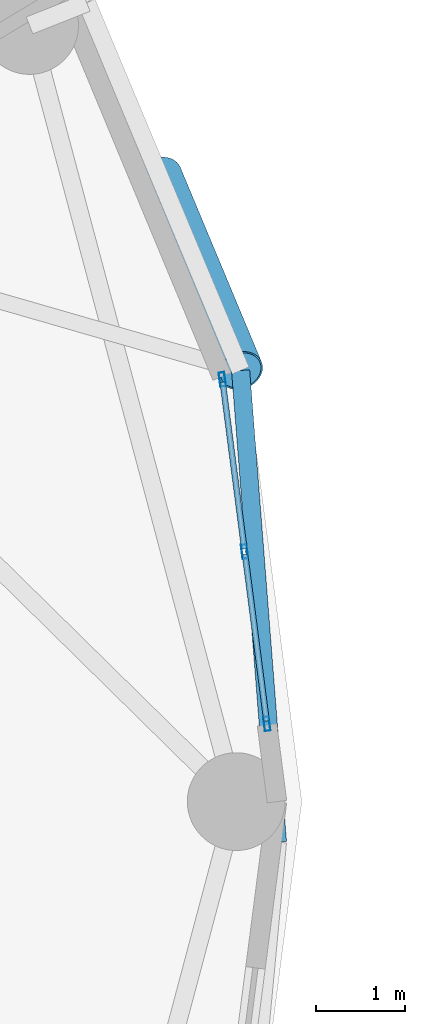
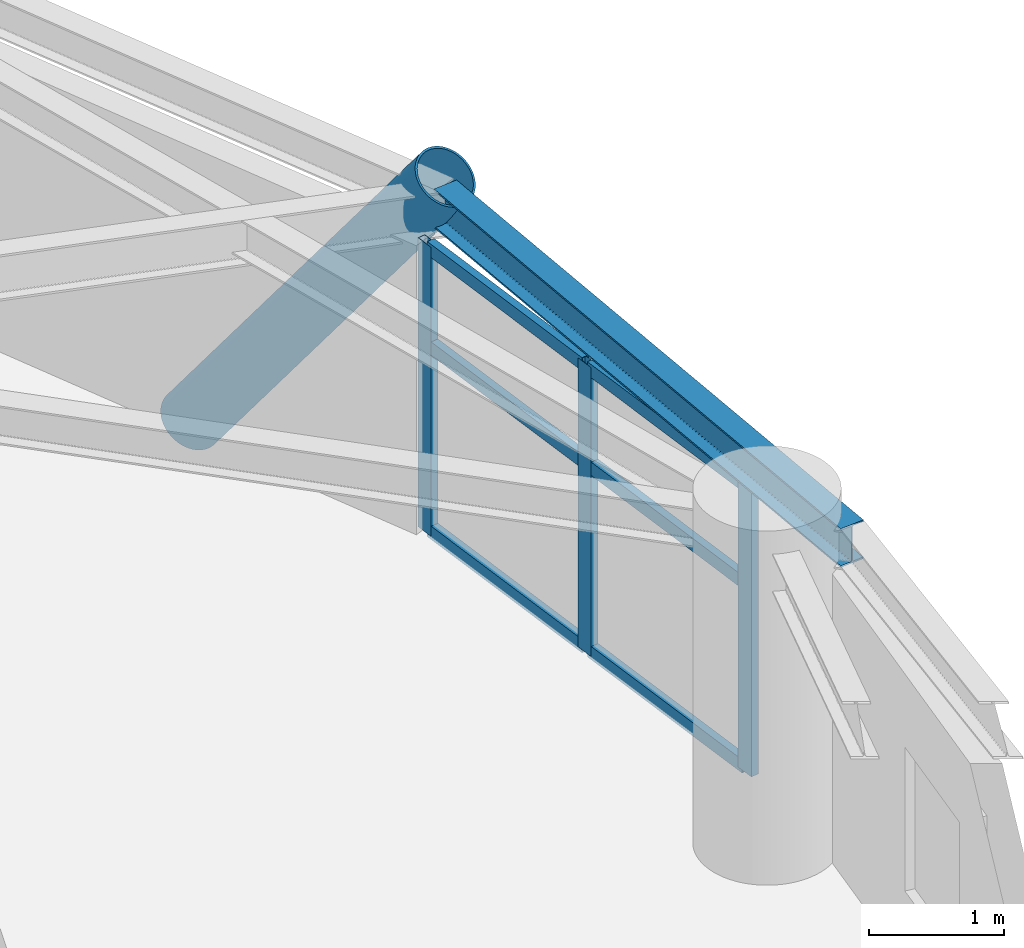
# One storey, part 3 of 17: 10 members, 1 beam, 1 element without a shape of its own.
"""IFC4 building model written with IfcOpenShell, lengths in metres."""

from ifc_helpers import new_model, si_unit, direction, frame, origin, origin_2d, place, context, subcontext, project, spatial, hollow_rectangle, hollow_circle, i_section, extrude, material, layer, layer_set, material_profile, profile_set, type_object, element, aggregate, save


model = new_model("IFC4")

# Units and contexts
model_context = context("Model", 3, precision=1e-05, world=origin(), true_north=direction((0.0, 1.0)))
body_context = subcontext(model_context, "Body", "Model", "MODEL_VIEW")
ifc_project = project(units=[si_unit("LENGTHUNIT", "METRE"), si_unit("AREAUNIT", "SQUARE_METRE"), si_unit("VOLUMEUNIT", "CUBIC_METRE"), si_unit("PLANEANGLEUNIT", "RADIAN"), si_unit("MASSUNIT", "GRAM", prefix="KILO")], contexts=[model_context])

# Site, building, storey
site_placement = place(None, origin())
site = spatial("IfcSite", under=ifc_project, at=site_placement, CompositionType="ELEMENT")
building_placement = place(site_placement, origin())
building = spatial("IfcBuilding", under=site, at=building_placement, Name="Cununo Teusaquillo Station Towers", CompositionType="ELEMENT")
storey_placement = place(building_placement, frame((0.0, 0.0, 222.85009765625)))
storey = spatial("IfcBuildingStorey", under=building, at=storey_placement, Name="L71", CompositionType="ELEMENT", Elevation=222.85009765625)

# Beam
ifc_material_1 = material(Name="Steel ASTM A572 Grade 50", Category="steel")
ifc_material_profile_1 = material_profile(ifc_material_1, i_section(OverallWidth=0.2041015625, OverallDepth=0.35009765625, WebThickness=0.008544921875, FlangeThickness=0.01513671875, FilletRadius=0.011962890625, at=origin_2d()), Name="W14X48")
ifc_profile_set_1 = profile_set([ifc_material_profile_1], Name="Steel ASTM A572 Grade 50")
beam_type = type_object("IfcBeamType", Name="BM-RING-Z4", PredefinedType="SPANDREL", material=ifc_profile_set_1)
beam_placement = place(storey_placement, frame((29.135498046875, 24.044189453125, 2.81494140625), z_axis=(-0.077871988965, 0.996963366095, 0.0), x_axis=(-0.996963366095, -0.077871988965, 0.0)))
element("IfcBeam", 1, at=beam_placement, inside=storey, type_object=beam_type, Name="L71 Tower A Spandrel Ring Beam 01", PredefinedType="SPANDREL", context=body_context, shape_type="SweptSolid", body=[
    extrude(i_section(OverallWidth=0.2041015625, OverallDepth=0.35009765625, WebThickness=0.008544921875, FlangeThickness=0.01513671875, FilletRadius=0.011962890625, at=origin_2d()), origin(), (0.0, 0.0, 1.0), 5.3203125),
])

# Curtain wall, members
ifc_material_2 = material(Name="Ceramic-fritted dark low-E double glazing", Category="glass")
ifc_layer = layer(ifc_material_2, 0.179931640625)
ifc_layer_set = layer_set([ifc_layer], Name="Ceramic-fritted dark low-E double glazing")
curtain_wall_type = type_object("IfcCurtainWallType", Name="CW-SYS-07", PredefinedType="USERDEFINED", material=ifc_layer_set)
curtain_wall_placement = place(storey_placement, origin())
curtain_wall = element("IfcCurtainWall", 2, at=curtain_wall_placement, inside=storey, type_object=curtain_wall_type, Name="L71 Tower A Facade Curtain Wall C00", ObjectType="FRITTED GLAZING", PredefinedType="USERDEFINED")
ifc_material_3 = material(Name="Anodised dark bronze aluminium EN AW-6063-T6", Category="aluminium")
ifc_material_profile_2 = material_profile(ifc_material_3, hollow_rectangle(XDim=0.06494140625, YDim=0.159912109375, WallThickness=0.00390625, at=origin_2d()), Name="CW-MULL-65x160")
ifc_profile_set_2 = profile_set([ifc_material_profile_2], Name="Anodised dark bronze aluminium EN AW-6063-T6")
member_type_1 = type_object("IfcMemberType", Name="CWM-160", PredefinedType="MULLION", material=ifc_profile_set_2)
member_1_placement = place(storey_placement, frame((28.515869140625, 29.248291015625, 0.0), z_axis=(0.0, 0.0, 1.0), x_axis=(0.991741528461, 0.12825264413, 0.0)))
member_1 = element("IfcMember", 3, at=member_1_placement, type_object=member_type_1, Name="CW-07 mullion 1", PredefinedType="MULLION", context=body_context, shape_type="SweptSolid", body=[
    extrude(hollow_rectangle(XDim=0.06494140625, YDim=0.159912109375, WallThickness=0.00390625, at=origin_2d()), origin(), (0.0, 0.0, 1.0), 2.61181640625),
])
member_2_placement = place(storey_placement, frame((28.766357421875, 27.311767578125, 0.0), z_axis=(0.0, 0.0, 1.0), x_axis=(0.991741528461, 0.12825264413, 0.0)))
member_2 = element("IfcMember", 4, at=member_2_placement, type_object=member_type_1, Name="CW-07 mullion 2", PredefinedType="MULLION", context=body_context, shape_type="SweptSolid", body=[
    extrude(hollow_rectangle(XDim=0.06494140625, YDim=0.159912109375, WallThickness=0.00390625, at=origin_2d()), origin(), (0.0, 0.0, 1.0), 2.61181640625),
])
member_3_placement = place(storey_placement, frame((29.016845703125, 25.375244140625, 0.0), z_axis=(0.0, 0.0, 1.0), x_axis=(0.991741528461, 0.12825264413, 0.0)))
member_3 = element("IfcMember", 5, at=member_3_placement, type_object=member_type_1, Name="CW-07 mullion 3", PredefinedType="MULLION", context=body_context, shape_type="SweptSolid", body=[
    extrude(hollow_rectangle(XDim=0.06494140625, YDim=0.159912109375, WallThickness=0.00390625, at=origin_2d()), origin(), (0.0, 0.0, 1.0), 2.61181640625),
])
ifc_material_4 = material(Name="Anodised dark bronze aluminium EN AW-6063-T6", Category="aluminium")
ifc_material_profile_3 = material_profile(ifc_material_4, hollow_rectangle(XDim=0.06494140625, YDim=0.1201171875, WallThickness=0.00390625, at=origin_2d()), Name="CW-TRAN-65x120")
ifc_profile_set_3 = profile_set([ifc_material_profile_3], Name="Anodised dark bronze aluminium EN AW-6063-T6")
member_type_2 = type_object("IfcMemberType", Name="CWT-120", PredefinedType="USERDEFINED", material=ifc_profile_set_3)
member_4_placement = place(storey_placement, frame((28.52001953125, 29.216064453125, 0.032470703125), z_axis=(0.128299630595, -0.99173545101, 0.0), x_axis=(0.99173545101, 0.128299630595, 0.0)))
member_4 = element("IfcMember", 6, at=member_4_placement, type_object=member_type_2, Name="CW-07 transom 1.1", ObjectType="TRANSOM", PredefinedType="USERDEFINED", context=body_context, shape_type="SweptSolid", body=[
    extrude(hollow_rectangle(XDim=0.06494140625, YDim=0.1201171875, WallThickness=0.00390625, at=origin_2d()), origin(), (0.0, 0.0, 1.0), 1.8876953125),
])
member_5_placement = place(storey_placement, frame((28.52001953125, 29.216064453125, 1.697998046875), z_axis=(0.128299630595, -0.99173545101, 0.0), x_axis=(0.99173545101, 0.128299630595, 0.0)))
member_5 = element("IfcMember", 7, at=member_5_placement, type_object=member_type_2, Name="CW-07 transom 1.2", ObjectType="TRANSOM", PredefinedType="USERDEFINED", context=body_context, shape_type="SweptSolid", body=[
    extrude(hollow_rectangle(XDim=0.06494140625, YDim=0.1201171875, WallThickness=0.00390625, at=origin_2d()), origin(), (0.0, 0.0, 1.0), 1.8876953125),
])
member_6_placement = place(storey_placement, frame((28.52001953125, 29.216064453125, 2.579345703125), z_axis=(0.128299630595, -0.99173545101, 0.0), x_axis=(0.99173545101, 0.128299630595, 0.0)))
member_6 = element("IfcMember", 8, at=member_6_placement, type_object=member_type_2, Name="CW-07 transom 1.3", ObjectType="TRANSOM", PredefinedType="USERDEFINED", context=body_context, shape_type="SweptSolid", body=[
    extrude(hollow_rectangle(XDim=0.06494140625, YDim=0.1201171875, WallThickness=0.00390625, at=origin_2d()), origin(), (0.0, 0.0, 1.0), 1.8876953125),
])
member_7_placement = place(storey_placement, frame((28.7705078125, 27.279541015625, 0.032470703125), z_axis=(0.128299630595, -0.99173545101, 0.0), x_axis=(0.99173545101, 0.128299630595, 0.0)))
member_7 = element("IfcMember", 9, at=member_7_placement, type_object=member_type_2, Name="CW-07 transom 2.1", ObjectType="TRANSOM", PredefinedType="USERDEFINED", context=body_context, shape_type="SweptSolid", body=[
    extrude(hollow_rectangle(XDim=0.06494140625, YDim=0.1201171875, WallThickness=0.00390625, at=origin_2d()), origin(), (0.0, 0.0, 1.0), 1.8876953125),
])
member_8_placement = place(storey_placement, frame((28.7705078125, 27.279541015625, 1.697998046875), z_axis=(0.128299630595, -0.99173545101, 0.0), x_axis=(0.99173545101, 0.128299630595, 0.0)))
member_8 = element("IfcMember", 10, at=member_8_placement, type_object=member_type_2, Name="CW-07 transom 2.2", ObjectType="TRANSOM", PredefinedType="USERDEFINED", context=body_context, shape_type="SweptSolid", body=[
    extrude(hollow_rectangle(XDim=0.06494140625, YDim=0.1201171875, WallThickness=0.00390625, at=origin_2d()), origin(), (0.0, 0.0, 1.0), 1.8876953125),
])
member_9_placement = place(storey_placement, frame((28.7705078125, 27.279541015625, 2.579345703125), z_axis=(0.128299630595, -0.99173545101, 0.0), x_axis=(0.99173545101, 0.128299630595, 0.0)))
member_9 = element("IfcMember", 11, at=member_9_placement, type_object=member_type_2, Name="CW-07 transom 2.3", ObjectType="TRANSOM", PredefinedType="USERDEFINED", context=body_context, shape_type="SweptSolid", body=[
    extrude(hollow_rectangle(XDim=0.06494140625, YDim=0.1201171875, WallThickness=0.00390625, at=origin_2d()), origin(), (0.0, 0.0, 1.0), 1.8876953125),
])
aggregate(curtain_wall, [member_1, member_2, member_3, member_4, member_5, member_6, member_7, member_8, member_9])

# Member
ifc_material_5 = material(Name="Steel EN 10025-2 S355J2", Category="steel")
ifc_material_profile_4 = material_profile(ifc_material_5, hollow_circle(Radius=0.25390625, WallThickness=0.01806640625, at=origin_2d()), Name="CHS 508x18")
ifc_profile_set_4 = profile_set([ifc_material_profile_4], Name="Steel EN 10025-2 S355J2")
member_type_3 = type_object("IfcMemberType", Name="MBR-DIAG-Z4", PredefinedType="BRACE", material=ifc_profile_set_4)
member_10_placement = place(storey_placement, frame((27.80859375, 31.535400390625, -0.14013671875), z_axis=(0.229186377143, -0.549237979254, 0.803623821621), x_axis=(0.922875628603, 0.385098135713, 0.0)))
element("IfcMember", 12, at=member_10_placement, inside=storey, type_object=member_type_3, Name="L71 Tower A Folded-Zigzag Diagrid Tube C01", PredefinedType="BRACE", context=body_context, shape_type="SweptSolid", body=[
    extrude(hollow_circle(Radius=0.25390625, WallThickness=0.01806640625, at=origin_2d()), origin(), (0.0, 0.0, 1.0), 3.98193359375),
])

save(model, "model.ifc")
